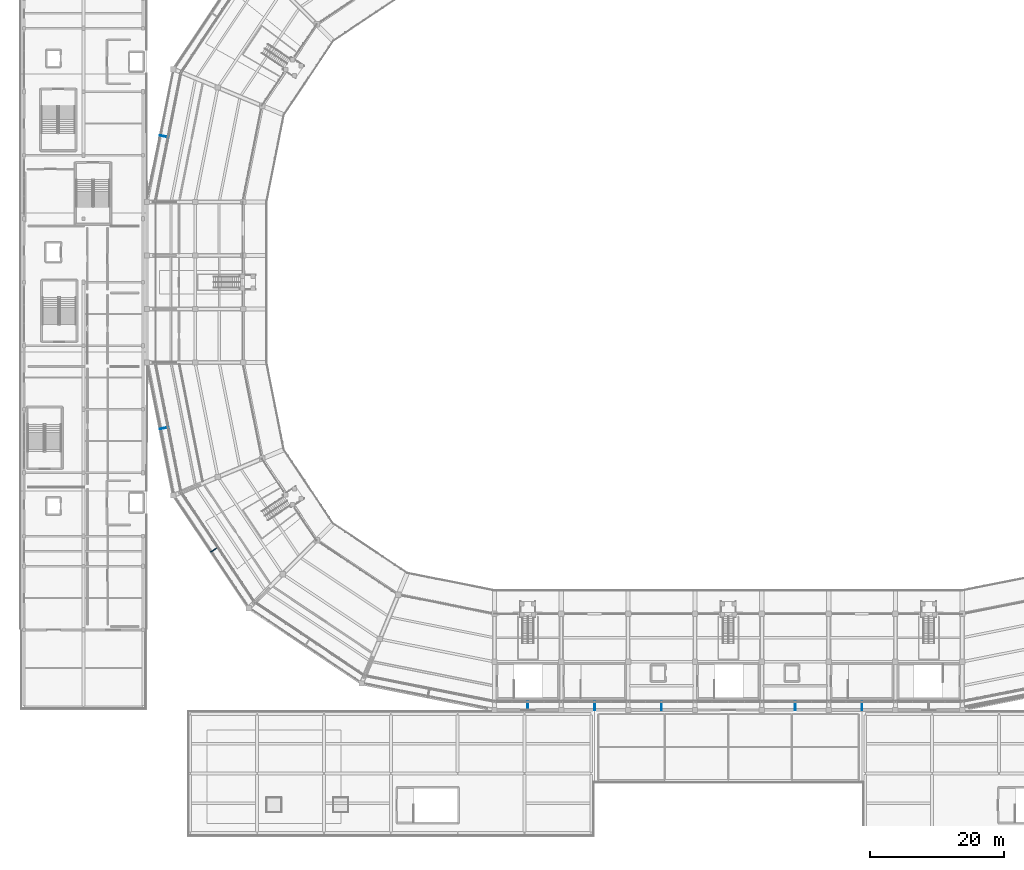
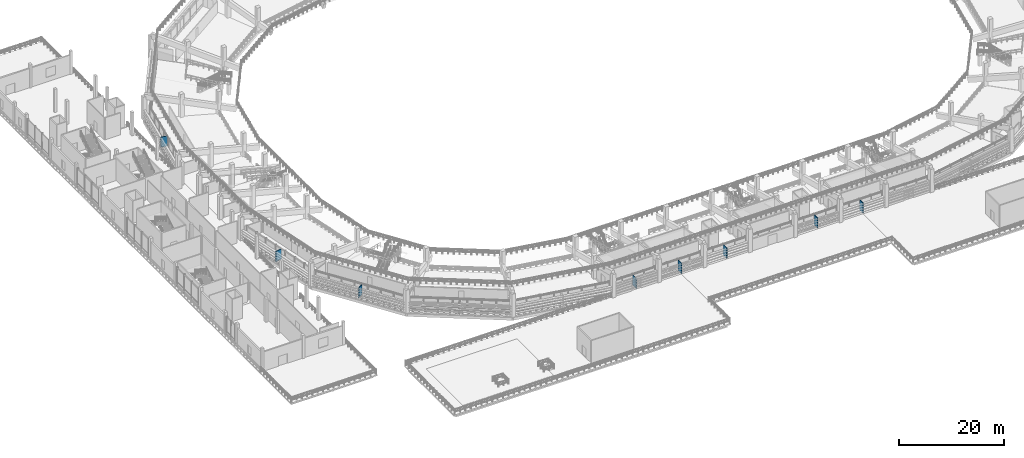
# One storey, part 71 of 96: 8 discrete accessories.
"""IFC4 building model written with IfcOpenShell, lengths in metres."""

from ifc_helpers import new_model, si_unit, direction, frame, origin, origin_2d, place, context, subcontext, project, spatial, rectangle, extrude, material, type_object, element, save


model = new_model("IFC4")

# Units and contexts
model_context = context("Model", 3, precision=1e-05, world=origin(), true_north=direction((0.0, 1.0)))
body_context = subcontext(model_context, "Body", "Model", "MODEL_VIEW")
ifc_project = project(units=[si_unit("LENGTHUNIT", "METRE"), si_unit("AREAUNIT", "SQUARE_METRE"), si_unit("VOLUMEUNIT", "CUBIC_METRE"), si_unit("PLANEANGLEUNIT", "RADIAN"), si_unit("MASSUNIT", "GRAM", prefix="KILO")], contexts=[model_context])

# Site, building, storey
site_placement = place(None, origin())
site = spatial("IfcSite", under=ifc_project, at=site_placement, CompositionType="ELEMENT")
building_placement = place(site_placement, origin())
building = spatial("IfcBuilding", under=site, at=building_placement, Name="Candeia Ridge Stadium", CompositionType="ELEMENT")
storey_placement = place(building_placement, frame((0.0, 0.0, 21.60009765625)))
storey = spatial("IfcBuildingStorey", under=building, at=storey_placement, Name="L04", CompositionType="ELEMENT", Elevation=21.60009765625)

# Discrete accessories
ifc_material = material(Name="Steel ASTM A572 Grade 50", Category="steel")
discrete_accessory_type = type_object("IfcDiscreteAccessoryType", Name="Solar Rib Outrigger Bracket BRK1", PredefinedType="BRACKET", material=ifc_material)
for number, where, z_axis, x_axis, name in (
    (1, (21.556396484375, 104.8349609375, 0.19970703125), (0.0, 0.0, 1.0), (-0.980785299134, 0.19509022785, 0.0), "Solar rib steel outrigger bracket L04 bay 11"),
    (2, (21.556396484375, 61.1650390625, 0.19970703125), (0.0, 0.0, 1.0), (-0.980785299134, -0.19509022785, 0.0), "Solar rib steel outrigger bracket L04 bay 15"),
    (3, (29.083740234375, 42.992431640625, 0.19970703125), (0.0, 0.0, 1.0), (-0.831469653018, -0.555570172084, 0.0), "Solar rib steel outrigger bracket L04 bay 16"),
    (4, (76.0, 19.60009765625, 0.19970703125), (0.0, 0.0, 1.0), (0.0, -1.0, 0.0), "Solar rib steel outrigger bracket L04 bay 19"),
    (5, (86.0, 19.60009765625, 0.19970703125), (0.0, 0.0, 1.0), (0.0, -1.0, 0.0), "Solar rib steel outrigger bracket L04 bay 20"),
    (6, (96.0, 19.60009765625, 0.19970703125), (0.0, 0.0, 1.0), (0.0, -1.0, 0.0), "Solar rib steel outrigger bracket L04 bay 21"),
    (7, (116.0, 19.60009765625, 0.19970703125), (0.0, 0.0, 1.0), (0.0, -1.0, 0.0), "Solar rib steel outrigger bracket L04 bay 23"),
    (8, (126.0, 19.60009765625, 0.19970703125), (0.0, 0.0, 1.0), (0.0, -1.0, 0.0), "Solar rib steel outrigger bracket L04 bay 24"),
):
    element("IfcDiscreteAccessory", number, at=place(storey_placement, frame(where, z_axis=z_axis, x_axis=x_axis)), inside=storey, type_object=discrete_accessory_type, Name=name, PredefinedType="BRACKET", context=body_context, shape_type="SweptSolid", body=[
        extrude(rectangle(XDim=1.35009765625, YDim=0.1201171875, at=origin_2d()), origin(), (0.0, 0.0, 1.0), 2.372314453125),
    ])

save(model, "model.ifc")
